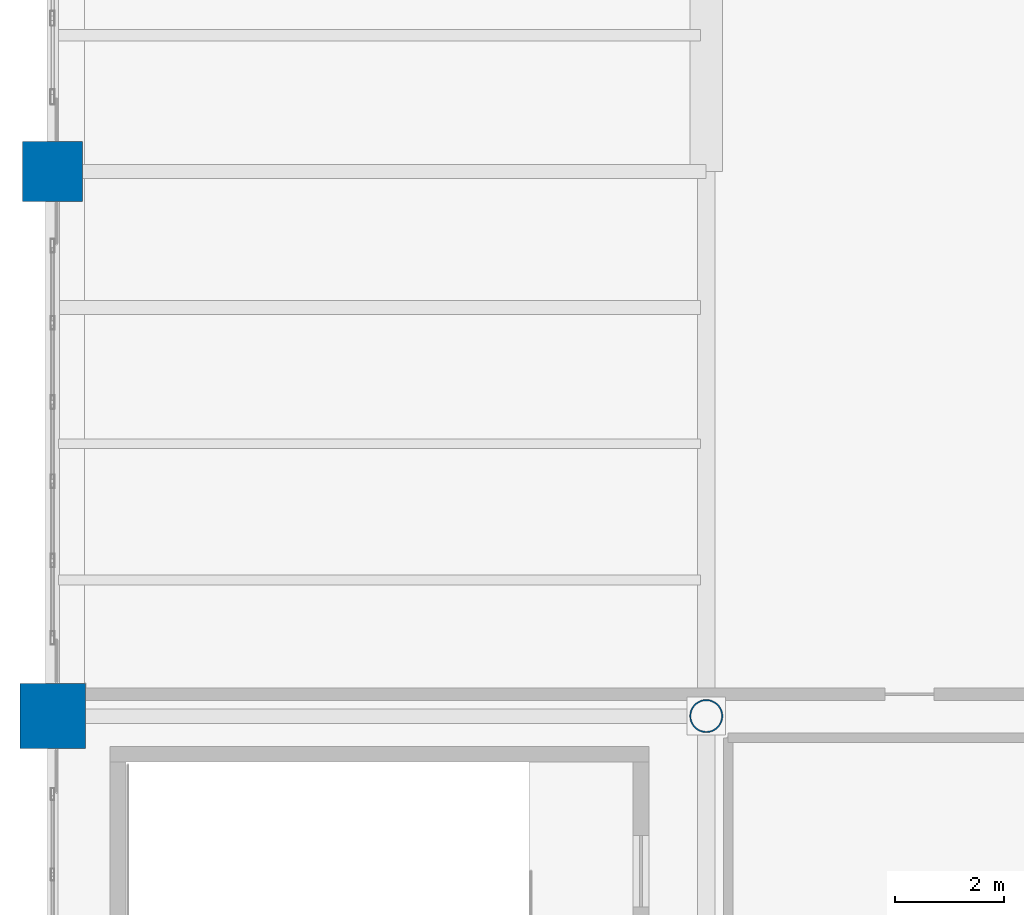
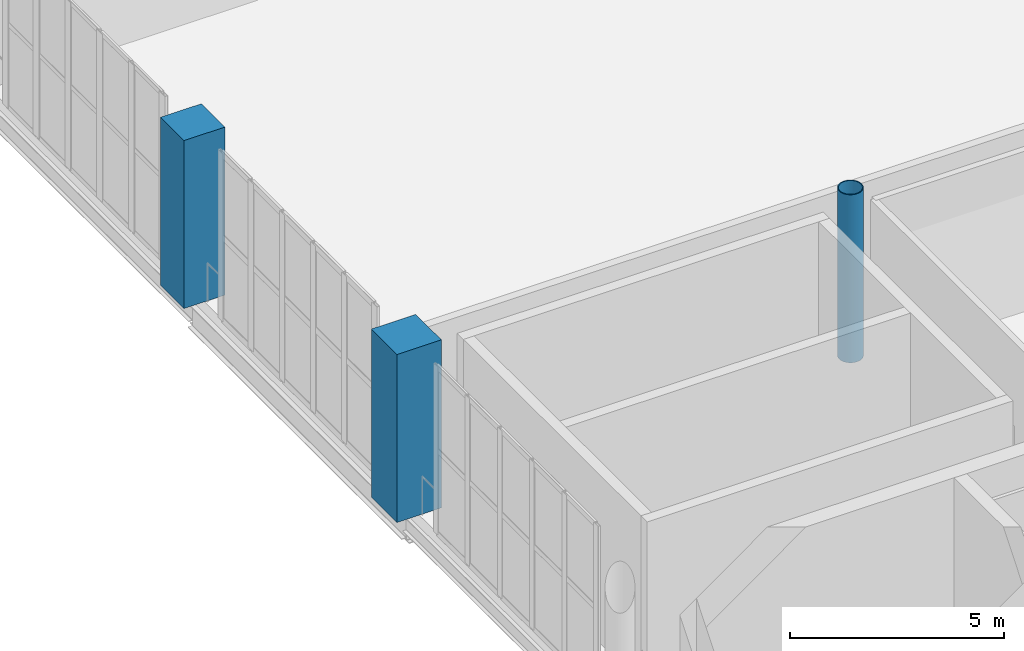
# One storey, part 2 of 49: 3 columns.
"""IFC4 building model written with IfcOpenShell, lengths in metres."""

import ifcopenshell
import ifcopenshell.guid

model = None  # the IFC model being written
_history = None  # IfcOwnerHistory: only IFC2X3 demands one
_inside = {}  # id of a spatial element -> (the spatial element, [elements in it])
_under = {}  # id of a project, library or spatial element -> (it, [spatial elements below it])
_declared = {}  # id of a project -> (the project, [libraries it declares])
_typed = {}  # id of a type object -> (the type object, [elements of that type])
_made_of = {}  # id of a material, layer set ... -> (it, [elements and type objects made of it])


def new_model(schema):
    """Start an empty IFC model of exactly this schema.

    Asked for "IFC4X3", IfcOpenShell would pick the latest addendum, in which some entities
    have other attributes; the version numbers below select the first issue.
    IFC2X3 requires an IfcOwnerHistory on every rooted entity: one is made here for all.
    """
    global model, _history
    if schema == "IFC4X3":
        model = ifcopenshell.file(schema_version=(4, 3, 0, 0))
    else:
        model = ifcopenshell.file(schema=schema)
    _inside.clear()
    _under.clear()
    _declared.clear()
    _typed.clear()
    _made_of.clear()
    _history = None
    if model.schema == "IFC2X3":
        org = make("IfcOrganization", Name="unknown")
        user = make(
            "IfcPersonAndOrganization",
            ThePerson=make("IfcPerson", FamilyName="unknown"),
            TheOrganization=org,
        )
        app = make(
            "IfcApplication",
            ApplicationDeveloper=org,
            Version="unknown",
            ApplicationFullName="unknown",
            ApplicationIdentifier="unknown",
        )
        _history = make(
            "IfcOwnerHistory",
            OwningUser=user,
            OwningApplication=app,
            ChangeAction="ADDED",
            CreationDate=0,
        )
    return model


def make(cls, **values):
    """One entity of the class cls with the attributes given. An attribute that is None is left unset."""
    return model.create_entity(
        cls, **{name: value for name, value in values.items() if value is not None}
    )


def rooted(cls, **values):
    """An entity with a GlobalId (a new one), such as an element, a storey or a relation."""
    return make(cls, GlobalId=ifcopenshell.guid.new(), OwnerHistory=_history, **values)


def si_unit(unit_type, name, prefix=None):
    """IfcSIUnit, for example si_unit("LENGTHUNIT", "METRE", prefix="MILLI")."""
    return make("IfcSIUnit", UnitType=unit_type, Prefix=prefix, Name=name)


def assignment(units):
    """IfcUnitAssignment: the units of a project."""
    return None if units is None else make("IfcUnitAssignment", Units=units)


def point(xyz):
    """IfcCartesianPoint."""
    return None if xyz is None else make("IfcCartesianPoint", Coordinates=xyz)


def direction(xyz):
    """IfcDirection."""
    return None if xyz is None else make("IfcDirection", DirectionRatios=xyz)


def frame(location, z_axis=None, x_axis=None):
    """IfcAxis2Placement3D, a coordinate frame: its origin and axes. An axis left out is left unset."""
    return make(
        "IfcAxis2Placement3D",
        Location=point(location),
        Axis=direction(z_axis),
        RefDirection=direction(x_axis),
    )


def frame_2d(location, x_axis=None):
    """IfcAxis2Placement2D, a coordinate frame in the plane: its origin and x axis."""
    return make(
        "IfcAxis2Placement2D", Location=point(location), RefDirection=direction(x_axis)
    )


def origin():
    """The frame at (0, 0, 0) with its axes left unset."""
    return frame((0.0, 0.0, 0.0))


def origin_2d():
    """The frame at (0, 0) in the plane with its x axis left unset."""
    return frame_2d((0.0, 0.0))


def place(relative_to, where):
    """IfcLocalPlacement: puts the frame where relative to a parent placement (None: the world)."""
    return make(
        "IfcLocalPlacement", PlacementRelTo=relative_to, RelativePlacement=where
    )


def context(
    kind, dimensions, precision=None, world=None, true_north=None, identifier=None
):
    """IfcGeometricRepresentationContext, for example the 3D "Model" context."""
    return make(
        "IfcGeometricRepresentationContext",
        ContextIdentifier=identifier,
        ContextType=kind,
        CoordinateSpaceDimension=dimensions,
        Precision=precision,
        WorldCoordinateSystem=world,
        TrueNorth=true_north,
    )


def subcontext(parent, identifier, kind, view, scale=None):
    """IfcGeometricRepresentationSubContext, for example "Body" below "Model"."""
    return make(
        "IfcGeometricRepresentationSubContext",
        ContextIdentifier=identifier,
        ContextType=kind,
        ParentContext=parent,
        TargetScale=scale,
        TargetView=view,
    )


def project(units=None, contexts=None):
    """IfcProject with its units and contexts."""
    return rooted(
        "IfcProject",
        Name="project",
        RepresentationContexts=contexts,
        UnitsInContext=assignment(units),
    )


def spatial(cls, under=None, at=None, **own):
    """A site, building, storey or space (cls), placed at a placement, below another one or the project."""
    s = rooted(cls, ObjectPlacement=at, **own)
    if under is not None:
        _under.setdefault(under.id(), (under, []))[1].append(s)
    return s


def profile(cls, at=None, kind="AREA", **sizes):
    """A parametric profile (cls). Its sizes go by their IFC names, for example OverallWidth=200.0."""
    return make(cls, ProfileType=kind, Position=at, **sizes)


def rectangle(**sizes):
    """IfcRectangleProfileDef."""
    return profile("IfcRectangleProfileDef", **sizes)


def hollow_circle(**sizes):
    """IfcCircleHollowProfileDef."""
    return profile("IfcCircleHollowProfileDef", **sizes)


def extrude(swept, where, along, depth):
    """IfcExtrudedAreaSolid: the profile swept, set in the frame where, extruded along a direction by depth."""
    return make(
        "IfcExtrudedAreaSolid",
        SweptArea=swept,
        Position=where,
        ExtrudedDirection=direction(along),
        Depth=depth,
    )


def shape(context_of_items, identifier, shape_type, items):
    """IfcShapeRepresentation: the items that make up one representation, for example the "Body"."""
    return make(
        "IfcShapeRepresentation",
        ContextOfItems=context_of_items,
        RepresentationIdentifier=identifier,
        RepresentationType=shape_type,
        Items=items,
    )


def material(Name=None, Category=None):
    """IfcMaterial."""
    return make("IfcMaterial", Name=Name, Category=Category)


def material_profile(
    of_material, cross_section, Name=None, Category=None, Priority=None
):
    """IfcMaterialProfile: a cross section and its material."""
    return make(
        "IfcMaterialProfile",
        Name=Name,
        Material=of_material,
        Profile=cross_section,
        Priority=Priority,
        Category=Category,
    )


def profile_set(profiles, Name=None, composite=None):
    """IfcMaterialProfileSet."""
    return make(
        "IfcMaterialProfileSet",
        Name=Name,
        MaterialProfiles=profiles,
        CompositeProfile=composite,
    )


def made_of(thing, what):
    """Note that an element or type object is made of a material, layer set ...; save() writes the relation."""
    if what is not None:
        _made_of.setdefault(what.id(), (what, []))[1].append(thing)
    return thing


def type_object(cls, material=None, **own):
    """A type object (cls), such as IfcWallType, which elements share."""
    return made_of(rooted(cls, **own), material)


def element(
    cls,
    number,
    at=None,
    inside=None,
    cuts=None,
    type_object=None,
    material=None,
    context=None,
    identifier="Body",
    shape_type=None,
    held_by="IfcProductDefinitionShape",
    body=None,
    shapes=None,
    **own,
):
    """One element of the class cls, such as IfcWall. Its Tag is "e" and its number.

    at: its placement. inside: the storey or other place that contains it. cuts: it is an
    opening in that element (IfcRelVoidsElement). A single representation is given by context,
    identifier, shape_type and body (its items); several are given by shapes. held_by: the class
    of the entity that holds the representations. save() writes the other relations.
    """
    e = rooted(cls, Tag="e%d" % number, ObjectPlacement=at, **own)
    if body is not None:
        shapes = [shape(context, identifier, shape_type, body)]
    if shapes is not None:
        e.Representation = make(held_by, Representations=shapes)
    if inside is not None:
        _inside.setdefault(inside.id(), (inside, []))[1].append(e)
    if cuts is not None:
        rooted(
            "IfcRelVoidsElement", RelatingBuildingElement=cuts, RelatedOpeningElement=e
        )
    if type_object is not None:
        _typed.setdefault(type_object.id(), (type_object, []))[1].append(e)
    return made_of(e, material)


def aggregate(whole, parts):
    """IfcRelAggregates: a whole, such as a stair, and the parts it consists of."""
    return rooted("IfcRelAggregates", RelatingObject=whole, RelatedObjects=parts)


def save(model, path):
    """Write the relations noted so far, then the file.

    IfcRelAggregates (storeys below a building ...), IfcRelContainedInSpatialStructure (elements
    in a storey), IfcRelDefinesByType, IfcRelAssociatesMaterial and IfcRelDeclares: one each for
    every whole, place, type object, material and project.
    """
    for whole, parts in _under.values():
        aggregate(whole, parts)
    for where, things in _inside.values():
        rooted(
            "IfcRelContainedInSpatialStructure",
            RelatedElements=things,
            RelatingStructure=where,
        )
    for kind, things in _typed.values():
        rooted("IfcRelDefinesByType", RelatedObjects=things, RelatingType=kind)
    for what, things in _made_of.values():
        rooted("IfcRelAssociatesMaterial", RelatedObjects=things, RelatingMaterial=what)
    for by, libraries in _declared.values():
        rooted("IfcRelDeclares", RelatingContext=by, RelatedDefinitions=libraries)
    model.write(path)


model = new_model("IFC4")

# Units and contexts
model_context = context("Model", 3, precision=1e-05, world=origin(), true_north=direction((0.0, 1.0)))
body_context = subcontext(model_context, "Body", "Model", "MODEL_VIEW")
ifc_project = project(units=[si_unit("LENGTHUNIT", "METRE"), si_unit("AREAUNIT", "SQUARE_METRE"), si_unit("VOLUMEUNIT", "CUBIC_METRE"), si_unit("PLANEANGLEUNIT", "RADIAN"), si_unit("MASSUNIT", "GRAM", prefix="KILO")], contexts=[model_context])

# Site, building, storey
site_placement = place(None, origin())
site = spatial("IfcSite", under=ifc_project, at=site_placement, CompositionType="ELEMENT")
building_placement = place(site_placement, origin())
building = spatial("IfcBuilding", under=site, at=building_placement, Name="Brinegate Civic Arena", CompositionType="ELEMENT")
storey_placement = place(building_placement, frame((0.0, 0.0, 24.60009765625)))
storey = spatial("IfcBuildingStorey", under=building, at=storey_placement, Name="L05", CompositionType="ELEMENT", Elevation=24.60009765625)

# Columns
ifc_material_1 = material(Name="Concrete C50/60", Category="concrete")
ifc_material_profile_1 = material_profile(ifc_material_1, rectangle(XDim=1.199951171875, YDim=1.199951171875, at=origin_2d()), Name="RC1200X1200")
ifc_profile_set_1 = profile_set([ifc_material_profile_1], Name="Concrete C50/60")
column_type_1 = type_object("IfcColumnType", Name="COL-CC01-1200", PredefinedType="COLUMN", material=ifc_profile_set_1)
column_1_placement = place(storey_placement, frame((48.0, 52.0, 0.0), z_axis=(0.0, 0.0, 1.0), x_axis=(1.0, 0.0, 0.0)))
element("IfcColumn", 1, at=column_1_placement, inside=storey, type_object=column_type_1, Name="Column COL-L05-5-F", PredefinedType="COLUMN", context=body_context, shape_type="SweptSolid", body=[
    extrude(rectangle(XDim=1.199951171875, YDim=1.199951171875, at=origin_2d()), origin(), (0.0, 0.0, 1.0), 4.7998046875),
])
ifc_material_profile_2 = material_profile(ifc_material_1, rectangle(XDim=1.10009765625, YDim=1.10009765625, at=origin_2d()), Name="RC1100X1100")
ifc_profile_set_2 = profile_set([ifc_material_profile_2], Name="Concrete C50/60")
column_type_2 = type_object("IfcColumnType", Name="COL-CC02-1100", PredefinedType="COLUMN", material=ifc_profile_set_2)
column_2_placement = place(storey_placement, frame((48.0, 62.0, 0.0), z_axis=(0.0, 0.0, 1.0), x_axis=(1.0, 0.0, 0.0)))
element("IfcColumn", 2, at=column_2_placement, inside=storey, type_object=column_type_2, Name="Column COL-L05-5-G", PredefinedType="COLUMN", context=body_context, shape_type="SweptSolid", body=[
    extrude(rectangle(XDim=1.10009765625, YDim=1.10009765625, at=origin_2d()), origin(), (0.0, 0.0, 1.0), 4.7998046875),
])
ifc_material_2 = material(Name="Steel S355", Category="steel")
ifc_material_profile_3 = material_profile(ifc_material_2, hollow_circle(Radius=0.304931640625, WallThickness=0.02490234375, at=origin_2d()), Name="CHS610X25")
ifc_profile_set_3 = profile_set([ifc_material_profile_3], Name="Steel S355")
column_type_3 = type_object("IfcColumnType", Name="COL-SC05-CHS610", PredefinedType="COLUMN", material=ifc_profile_set_3)
column_3_placement = place(storey_placement, frame((60.0, 52.0, 0.0), z_axis=(0.0, 0.0, 1.0), x_axis=(1.0, 0.0, 0.0)))
element("IfcColumn", 3, at=column_3_placement, inside=storey, type_object=column_type_3, Name="Space Frame West Drum Column W-04-L05", PredefinedType="COLUMN", context=body_context, shape_type="SweptSolid", body=[
    extrude(hollow_circle(Radius=0.304931640625, WallThickness=0.02490234375, at=origin_2d()), origin(), (0.0, 0.0, 1.0), 4.7998046875),
])

save(model, "model.ifc")
